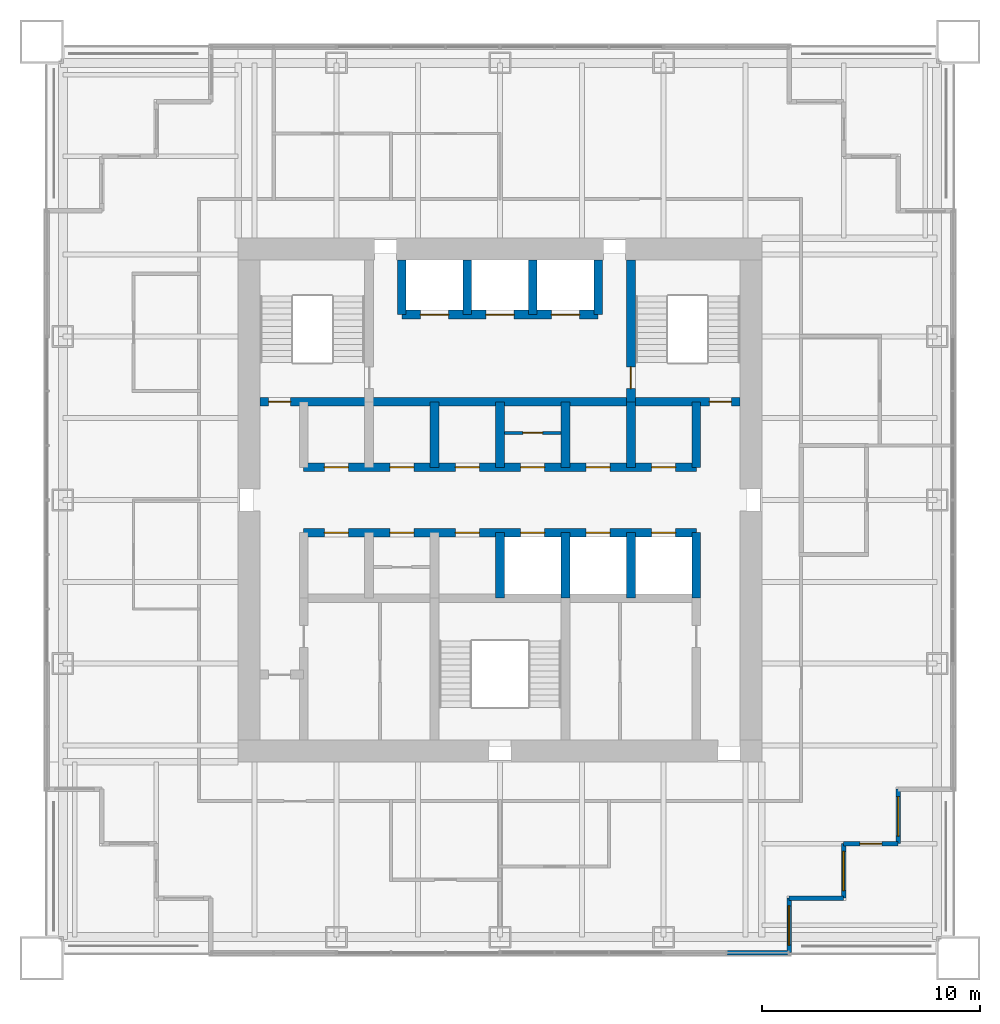
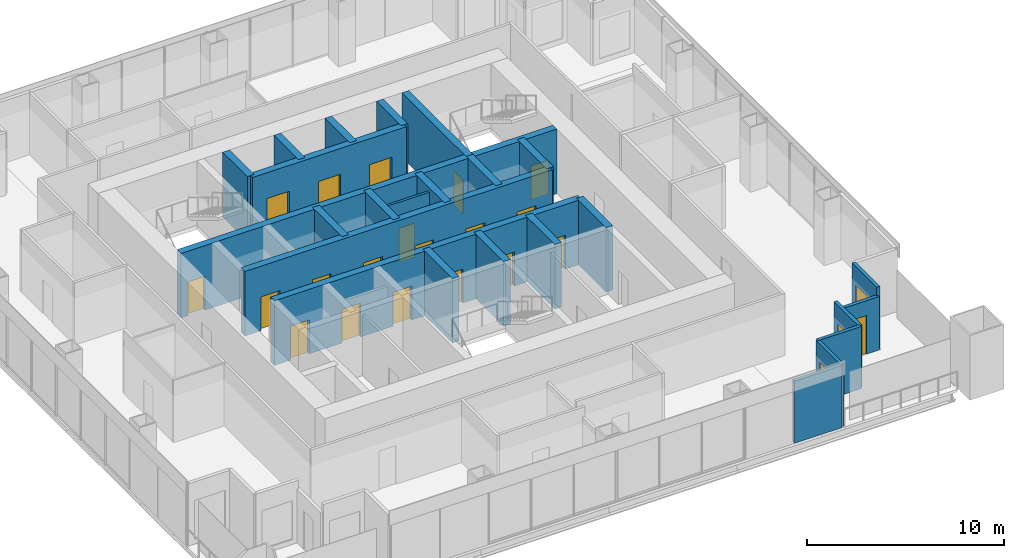
# One storey, part 10 of 14: 25 walls, 20 doors, 3 windows, 23 openings.
"""IFC4 building model written with IfcOpenShell, lengths in metres."""

from ifc_helpers import new_model, si_unit, direction, frame, frame_2d, origin, place, context, subcontext, project, spatial, rectangle, extrude, material, layer, layer_set, type_object, element, fill, save


model = new_model("IFC4")

# Units and contexts
model_context = context("Model", 3, precision=1e-05, world=origin(), true_north=direction((0.0, 1.0)))
body_context = subcontext(model_context, "Body", "Model", "MODEL_VIEW")
ifc_project = project(units=[si_unit("LENGTHUNIT", "METRE"), si_unit("AREAUNIT", "SQUARE_METRE"), si_unit("VOLUMEUNIT", "CUBIC_METRE"), si_unit("PLANEANGLEUNIT", "RADIAN"), si_unit("MASSUNIT", "GRAM", prefix="KILO")], contexts=[model_context])

# Site, building, storey
site_placement = place(None, origin())
site = spatial("IfcSite", under=ifc_project, at=site_placement, CompositionType="ELEMENT")
building_placement = place(site_placement, origin())
building = spatial("IfcBuilding", under=site, at=building_placement, Name="Tarangal Relay Tower", CompositionType="ELEMENT")
storey_placement = place(building_placement, frame((0.0, 0.0, 267.89990234375)))
storey = spatial("IfcBuildingStorey", under=building, at=storey_placement, Name="L58", CompositionType="ELEMENT", Elevation=267.89990234375)

# Wall, openings, doors
ifc_material_1 = material(Name="Concrete fc' 60 MPa", Category="concrete")
ifc_layer_1 = layer(ifc_material_1, 0.39990234375)
ifc_layer_set_1 = layer_set([ifc_layer_1], Name="Core inner wall 400")
wall_type_1 = type_object("IfcWallType", Name="Core inner wall 400", PredefinedType="SHEAR", material=ifc_layer_set_1)
wall_1_placement = place(storey_placement, frame((-11.0, 4.5, 0.0), z_axis=(0.0, 0.0, 1.0), x_axis=(1.0, 0.0, 0.0)))
wall_1 = element("IfcWall", 1, at=wall_1_placement, inside=storey, type_object=wall_type_1, Name="Core wall Y45 L58", PredefinedType="SHEAR", context=body_context, shape_type="SweptSolid", body=[
    extrude(rectangle(XDim=22.0, YDim=0.39990234375, at=frame_2d((11.0, 0.0))), origin(), (0.0, 0.0, 1.0), 4.0),
])
opening_1_placement = place(wall_1_placement, frame((0.39990234375, 0.0, 0.0)))
opening_1 = element("IfcOpeningElement", 2, at=opening_1_placement, cuts=wall_1, Name="Opening FD1", PredefinedType="OPENING", context=body_context, shape_type="SweptSolid", body=[
    extrude(rectangle(XDim=1.0, YDim=2.10009765625, at=frame_2d((0.5, 1.050048828125))), frame((0.0, 0.2099609375, 0.0), z_axis=(0.0, -1.0, 0.0), x_axis=(1.0, 0.0, 0.0)), (0.0, 0.0, 1.0), 0.419921875),
])
opening_2_placement = place(wall_1_placement, frame((20.60009765625, 0.0, 0.0)))
opening_2 = element("IfcOpeningElement", 3, at=opening_2_placement, cuts=wall_1, Name="Opening FD1", PredefinedType="OPENING", context=body_context, shape_type="SweptSolid", body=[
    extrude(rectangle(XDim=1.0, YDim=2.10009765625, at=frame_2d((0.5, 1.050048828125))), frame((0.0, 0.2099609375, 0.0), z_axis=(0.0, -1.0, 0.0), x_axis=(1.0, 0.0, 0.0)), (0.0, 0.0, 1.0), 0.419921875),
])
ifc_material_2 = material(Name="Steel door with hardwood frame", Category="steel")
door_type_1 = type_object("IfcDoorType", Name="Fire door 1000 x 2100", OperationType="SINGLE_SWING_LEFT", PredefinedType="DOOR", material=ifc_material_2)
door_1_placement = place(opening_1_placement, origin())
door_1 = element("IfcDoor", 4, at=door_1_placement, inside=storey, type_object=door_type_1, Name="Stair ST-A door from corridor L58", OperationType="SINGLE_SWING_LEFT", OverallHeight=2.10009765625, OverallWidth=1.0, PredefinedType="DOOR", context=body_context, shape_type="SweptSolid", body=[
    extrude(rectangle(XDim=1.0, YDim=2.10009765625, at=frame_2d((0.5, 1.050048828125))), frame((0.0, 0.02490234375, 0.0), z_axis=(0.0, -1.0, 0.0), x_axis=(1.0, 0.0, 0.0)), (0.0, 0.0, 1.0), 0.050048828125),
])
fill(opening_1, door_1)
door_2_placement = place(opening_2_placement, origin())
door_2 = element("IfcDoor", 5, at=door_2_placement, inside=storey, type_object=door_type_1, Name="Stair ST-B door from corridor L58", OperationType="SINGLE_SWING_LEFT", OverallHeight=2.10009765625, OverallWidth=1.0, PredefinedType="DOOR", context=body_context, shape_type="SweptSolid", body=[
    extrude(rectangle(XDim=1.0, YDim=2.10009765625, at=frame_2d((0.5, 1.050048828125))), frame((0.0, 0.02490234375, 0.0), z_axis=(0.0, -1.0, 0.0), x_axis=(1.0, 0.0, 0.0)), (0.0, 0.0, 1.0), 0.050048828125),
])
fill(opening_2, door_2)

wall_2_placement = place(storey_placement, frame((-9.0, 1.5, 0.0), z_axis=(0.0, 0.0, 1.0), x_axis=(1.0, 0.0, 0.0)))
wall_2 = element("IfcWall", 6, at=wall_2_placement, inside=storey, type_object=wall_type_1, Name="Core wall Y15 L58", PredefinedType="SHEAR", context=body_context, shape_type="SweptSolid", body=[
    extrude(rectangle(XDim=18.0, YDim=0.39990234375, at=frame_2d((9.0, 0.0))), origin(), (0.0, 0.0, 1.0), 4.0),
])
opening_3_placement = place(wall_2_placement, frame((0.949951171875, 0.0, 0.0)))
opening_3 = element("IfcOpeningElement", 7, at=opening_3_placement, cuts=wall_2, Name="Opening D4", PredefinedType="OPENING", context=body_context, shape_type="SweptSolid", body=[
    extrude(rectangle(XDim=1.10009765625, YDim=2.10009765625, at=frame_2d((0.550048828125, 1.050048828125))), frame((0.0, 0.2099609375, 0.0), z_axis=(0.0, -1.0, 0.0), x_axis=(1.0, 0.0, 0.0)), (0.0, 0.0, 1.0), 0.419921875),
])
opening_4_placement = place(wall_2_placement, frame((3.949951171875, 0.0, 0.0)))
opening_4 = element("IfcOpeningElement", 8, at=opening_4_placement, cuts=wall_2, Name="Opening D4", PredefinedType="OPENING", context=body_context, shape_type="SweptSolid", body=[
    extrude(rectangle(XDim=1.10009765625, YDim=2.10009765625, at=frame_2d((0.550048828125, 1.050048828125))), frame((0.0, 0.2099609375, 0.0), z_axis=(0.0, -1.0, 0.0), x_axis=(1.0, 0.0, 0.0)), (0.0, 0.0, 1.0), 0.419921875),
])
opening_5_placement = place(wall_2_placement, frame((6.949951171875, 0.0, 0.0)))
opening_5 = element("IfcOpeningElement", 9, at=opening_5_placement, cuts=wall_2, Name="Opening D4", PredefinedType="OPENING", context=body_context, shape_type="SweptSolid", body=[
    extrude(rectangle(XDim=1.10009765625, YDim=2.10009765625, at=frame_2d((0.550048828125, 1.050048828125))), frame((0.0, 0.2099609375, 0.0), z_axis=(0.0, -1.0, 0.0), x_axis=(1.0, 0.0, 0.0)), (0.0, 0.0, 1.0), 0.419921875),
])
opening_6_placement = place(wall_2_placement, frame((9.949951171875, 0.0, 0.0)))
opening_6 = element("IfcOpeningElement", 10, at=opening_6_placement, cuts=wall_2, Name="Opening D4", PredefinedType="OPENING", context=body_context, shape_type="SweptSolid", body=[
    extrude(rectangle(XDim=1.10009765625, YDim=2.10009765625, at=frame_2d((0.550048828125, 1.050048828125))), frame((0.0, 0.2099609375, 0.0), z_axis=(0.0, -1.0, 0.0), x_axis=(1.0, 0.0, 0.0)), (0.0, 0.0, 1.0), 0.419921875),
])
opening_7_placement = place(wall_2_placement, frame((12.949951171875, 0.0, 0.0)))
opening_7 = element("IfcOpeningElement", 11, at=opening_7_placement, cuts=wall_2, Name="Opening D4", PredefinedType="OPENING", context=body_context, shape_type="SweptSolid", body=[
    extrude(rectangle(XDim=1.10009765625, YDim=2.10009765625, at=frame_2d((0.550048828125, 1.050048828125))), frame((0.0, 0.2099609375, 0.0), z_axis=(0.0, -1.0, 0.0), x_axis=(1.0, 0.0, 0.0)), (0.0, 0.0, 1.0), 0.419921875),
])
opening_8_placement = place(wall_2_placement, frame((15.949951171875, 0.0, 0.0)))
opening_8 = element("IfcOpeningElement", 12, at=opening_8_placement, cuts=wall_2, Name="Opening D4", PredefinedType="OPENING", context=body_context, shape_type="SweptSolid", body=[
    extrude(rectangle(XDim=1.10009765625, YDim=2.10009765625, at=frame_2d((0.550048828125, 1.050048828125))), frame((0.0, 0.2099609375, 0.0), z_axis=(0.0, -1.0, 0.0), x_axis=(1.0, 0.0, 0.0)), (0.0, 0.0, 1.0), 0.419921875),
])
door_type_2 = type_object("IfcDoorType", Name="Core room door 1100 x 2100", OperationType="SINGLE_SWING_RIGHT", PredefinedType="DOOR", material=ifc_material_2)
door_3_placement = place(opening_3_placement, origin())
door_3 = element("IfcDoor", 13, at=door_3_placement, inside=storey, type_object=door_type_2, Name="Door D4 to cleaner's store L58-D1", OperationType="SINGLE_SWING_RIGHT", OverallHeight=2.10009765625, OverallWidth=1.10009765625, PredefinedType="DOOR", context=body_context, shape_type="SweptSolid", body=[
    extrude(rectangle(XDim=1.10009765625, YDim=2.10009765625, at=frame_2d((0.550048828125, 1.050048828125))), frame((0.0, 0.02490234375, 0.0), z_axis=(0.0, -1.0, 0.0), x_axis=(1.0, 0.0, 0.0)), (0.0, 0.0, 1.0), 0.050048828125),
])
fill(opening_3, door_3)
door_4_placement = place(opening_4_placement, origin())
door_4 = element("IfcDoor", 14, at=door_4_placement, inside=storey, type_object=door_type_2, Name="Door D4 to staff wc L58-D2", OperationType="SINGLE_SWING_RIGHT", OverallHeight=2.10009765625, OverallWidth=1.10009765625, PredefinedType="DOOR", context=body_context, shape_type="SweptSolid", body=[
    extrude(rectangle(XDim=1.10009765625, YDim=2.10009765625, at=frame_2d((0.550048828125, 1.050048828125))), frame((0.0, 0.02490234375, 0.0), z_axis=(0.0, -1.0, 0.0), x_axis=(1.0, 0.0, 0.0)), (0.0, 0.0, 1.0), 0.050048828125),
])
fill(opening_4, door_4)
door_5_placement = place(opening_5_placement, origin())
door_5 = element("IfcDoor", 15, at=door_5_placement, inside=storey, type_object=door_type_2, Name="Door D4 to staff pantry L58-D3", OperationType="SINGLE_SWING_RIGHT", OverallHeight=2.10009765625, OverallWidth=1.10009765625, PredefinedType="DOOR", context=body_context, shape_type="SweptSolid", body=[
    extrude(rectangle(XDim=1.10009765625, YDim=2.10009765625, at=frame_2d((0.550048828125, 1.050048828125))), frame((0.0, 0.02490234375, 0.0), z_axis=(0.0, -1.0, 0.0), x_axis=(1.0, 0.0, 0.0)), (0.0, 0.0, 1.0), 0.050048828125),
])
fill(opening_5, door_5)
door_6_placement = place(opening_6_placement, origin())
door_6 = element("IfcDoor", 16, at=door_6_placement, inside=storey, type_object=door_type_2, Name="Door D4 to it room L58-T1", OperationType="SINGLE_SWING_RIGHT", OverallHeight=2.10009765625, OverallWidth=1.10009765625, PredefinedType="DOOR", context=body_context, shape_type="SweptSolid", body=[
    extrude(rectangle(XDim=1.10009765625, YDim=2.10009765625, at=frame_2d((0.550048828125, 1.050048828125))), frame((0.0, 0.02490234375, 0.0), z_axis=(0.0, -1.0, 0.0), x_axis=(1.0, 0.0, 0.0)), (0.0, 0.0, 1.0), 0.050048828125),
])
fill(opening_6, door_6)
door_7_placement = place(opening_7_placement, origin())
door_7 = element("IfcDoor", 17, at=door_7_placement, inside=storey, type_object=door_type_2, Name="Door D4 to cleaner's store L58-T2", OperationType="SINGLE_SWING_RIGHT", OverallHeight=2.10009765625, OverallWidth=1.10009765625, PredefinedType="DOOR", context=body_context, shape_type="SweptSolid", body=[
    extrude(rectangle(XDim=1.10009765625, YDim=2.10009765625, at=frame_2d((0.550048828125, 1.050048828125))), frame((0.0, 0.02490234375, 0.0), z_axis=(0.0, -1.0, 0.0), x_axis=(1.0, 0.0, 0.0)), (0.0, 0.0, 1.0), 0.050048828125),
])
fill(opening_7, door_7)
door_8_placement = place(opening_8_placement, origin())
door_8 = element("IfcDoor", 18, at=door_8_placement, inside=storey, type_object=door_type_2, Name="Door D4 to staff wc L58-T3", OperationType="SINGLE_SWING_RIGHT", OverallHeight=2.10009765625, OverallWidth=1.10009765625, PredefinedType="DOOR", context=body_context, shape_type="SweptSolid", body=[
    extrude(rectangle(XDim=1.10009765625, YDim=2.10009765625, at=frame_2d((0.550048828125, 1.050048828125))), frame((0.0, 0.02490234375, 0.0), z_axis=(0.0, -1.0, 0.0), x_axis=(1.0, 0.0, 0.0)), (0.0, 0.0, 1.0), 0.050048828125),
])
fill(opening_8, door_8)

wall_3_placement = place(storey_placement, frame((-9.0, -1.5, 0.0), z_axis=(0.0, 0.0, 1.0), x_axis=(1.0, 0.0, 0.0)))
wall_3 = element("IfcWall", 19, at=wall_3_placement, inside=storey, type_object=wall_type_1, Name="Core wall YM15 L58", PredefinedType="SHEAR", context=body_context, shape_type="SweptSolid", body=[
    extrude(rectangle(XDim=18.0, YDim=0.39990234375, at=frame_2d((9.0, 0.0))), origin(), (0.0, 0.0, 1.0), 4.0),
])
opening_9_placement = place(wall_3_placement, frame((9.949951171875, 0.0, 0.0)))
opening_9 = element("IfcOpeningElement", 20, at=opening_9_placement, cuts=wall_3, Name="Opening LD1", PredefinedType="OPENING", context=body_context, shape_type="SweptSolid", body=[
    extrude(rectangle(XDim=1.10009765625, YDim=2.10009765625, at=frame_2d((0.550048828125, 1.050048828125))), frame((0.0, 0.2099609375, 0.0), z_axis=(0.0, -1.0, 0.0), x_axis=(1.0, 0.0, 0.0)), (0.0, 0.0, 1.0), 0.419921875),
])
opening_10_placement = place(wall_3_placement, frame((12.949951171875, 0.0, 0.0)))
opening_10 = element("IfcOpeningElement", 21, at=opening_10_placement, cuts=wall_3, Name="Opening LD1", PredefinedType="OPENING", context=body_context, shape_type="SweptSolid", body=[
    extrude(rectangle(XDim=1.10009765625, YDim=2.10009765625, at=frame_2d((0.550048828125, 1.050048828125))), frame((0.0, 0.2099609375, 0.0), z_axis=(0.0, -1.0, 0.0), x_axis=(1.0, 0.0, 0.0)), (0.0, 0.0, 1.0), 0.419921875),
])
opening_11_placement = place(wall_3_placement, frame((15.949951171875, 0.0, 0.0)))
opening_11 = element("IfcOpeningElement", 22, at=opening_11_placement, cuts=wall_3, Name="Opening LD1", PredefinedType="OPENING", context=body_context, shape_type="SweptSolid", body=[
    extrude(rectangle(XDim=1.10009765625, YDim=2.10009765625, at=frame_2d((0.550048828125, 1.050048828125))), frame((0.0, 0.2099609375, 0.0), z_axis=(0.0, -1.0, 0.0), x_axis=(1.0, 0.0, 0.0)), (0.0, 0.0, 1.0), 0.419921875),
])
opening_12_placement = place(wall_3_placement, frame((0.949951171875, 0.0, 0.0)))
opening_12 = element("IfcOpeningElement", 23, at=opening_12_placement, cuts=wall_3, Name="Opening D4", PredefinedType="OPENING", context=body_context, shape_type="SweptSolid", body=[
    extrude(rectangle(XDim=1.10009765625, YDim=2.10009765625, at=frame_2d((0.550048828125, 1.050048828125))), frame((0.0, 0.2099609375, 0.0), z_axis=(0.0, -1.0, 0.0), x_axis=(1.0, 0.0, 0.0)), (0.0, 0.0, 1.0), 0.419921875),
])
opening_13_placement = place(wall_3_placement, frame((3.949951171875, 0.0, 0.0)))
opening_13 = element("IfcOpeningElement", 24, at=opening_13_placement, cuts=wall_3, Name="Opening D4", PredefinedType="OPENING", context=body_context, shape_type="SweptSolid", body=[
    extrude(rectangle(XDim=1.10009765625, YDim=2.10009765625, at=frame_2d((0.550048828125, 1.050048828125))), frame((0.0, 0.2099609375, 0.0), z_axis=(0.0, -1.0, 0.0), x_axis=(1.0, 0.0, 0.0)), (0.0, 0.0, 1.0), 0.419921875),
])
opening_14_placement = place(wall_3_placement, frame((6.949951171875, 0.0, 0.0)))
opening_14 = element("IfcOpeningElement", 25, at=opening_14_placement, cuts=wall_3, Name="Opening D4", PredefinedType="OPENING", context=body_context, shape_type="SweptSolid", body=[
    extrude(rectangle(XDim=1.10009765625, YDim=2.10009765625, at=frame_2d((0.550048828125, 1.050048828125))), frame((0.0, 0.2099609375, 0.0), z_axis=(0.0, -1.0, 0.0), x_axis=(1.0, 0.0, 0.0)), (0.0, 0.0, 1.0), 0.419921875),
])
door_9_placement = place(opening_12_placement, origin())
door_9 = element("IfcDoor", 26, at=door_9_placement, inside=storey, type_object=door_type_2, Name="Door D4 to staff pantry L58-S1", OperationType="SINGLE_SWING_RIGHT", OverallHeight=2.10009765625, OverallWidth=1.10009765625, PredefinedType="DOOR", context=body_context, shape_type="SweptSolid", body=[
    extrude(rectangle(XDim=1.10009765625, YDim=2.10009765625, at=frame_2d((0.550048828125, 1.050048828125))), frame((0.0, 0.02490234375, 0.0), z_axis=(0.0, -1.0, 0.0), x_axis=(1.0, 0.0, 0.0)), (0.0, 0.0, 1.0), 0.050048828125),
])
fill(opening_12, door_9)
door_10_placement = place(opening_13_placement, origin())
door_10 = element("IfcDoor", 27, at=door_10_placement, inside=storey, type_object=door_type_2, Name="Door D4 to it room L58-S2", OperationType="SINGLE_SWING_RIGHT", OverallHeight=2.10009765625, OverallWidth=1.10009765625, PredefinedType="DOOR", context=body_context, shape_type="SweptSolid", body=[
    extrude(rectangle(XDim=1.10009765625, YDim=2.10009765625, at=frame_2d((0.550048828125, 1.050048828125))), frame((0.0, 0.02490234375, 0.0), z_axis=(0.0, -1.0, 0.0), x_axis=(1.0, 0.0, 0.0)), (0.0, 0.0, 1.0), 0.050048828125),
])
fill(opening_13, door_10)
door_11_placement = place(opening_14_placement, origin())
door_11 = element("IfcDoor", 28, at=door_11_placement, inside=storey, type_object=door_type_2, Name="Door D4 to cleaner's store L58-S3", OperationType="SINGLE_SWING_RIGHT", OverallHeight=2.10009765625, OverallWidth=1.10009765625, PredefinedType="DOOR", context=body_context, shape_type="SweptSolid", body=[
    extrude(rectangle(XDim=1.10009765625, YDim=2.10009765625, at=frame_2d((0.550048828125, 1.050048828125))), frame((0.0, 0.02490234375, 0.0), z_axis=(0.0, -1.0, 0.0), x_axis=(1.0, 0.0, 0.0)), (0.0, 0.0, 1.0), 0.050048828125),
])
fill(opening_14, door_11)
door_type_3 = type_object("IfcDoorType", Name="Lift landing door 1100 x 2100", OperationType="SLIDING_TO_LEFT", PredefinedType="DOOR", material=ifc_material_2)
door_12_placement = place(opening_9_placement, origin())
door_12 = element("IfcDoor", 29, at=door_12_placement, inside=storey, type_object=door_type_3, Name="Lift OH1 landing door L58", OperationType="SLIDING_TO_LEFT", OverallHeight=2.10009765625, OverallWidth=1.10009765625, PredefinedType="DOOR", context=body_context, shape_type="SweptSolid", body=[
    extrude(rectangle(XDim=1.10009765625, YDim=2.10009765625, at=frame_2d((0.550048828125, 1.050048828125))), frame((0.0, 0.02490234375, 0.0), z_axis=(0.0, -1.0, 0.0), x_axis=(1.0, 0.0, 0.0)), (0.0, 0.0, 1.0), 0.050048828125),
])
fill(opening_9, door_12)
door_13_placement = place(opening_10_placement, origin())
door_13 = element("IfcDoor", 30, at=door_13_placement, inside=storey, type_object=door_type_3, Name="Lift OH2 landing door L58", OperationType="SLIDING_TO_LEFT", OverallHeight=2.10009765625, OverallWidth=1.10009765625, PredefinedType="DOOR", context=body_context, shape_type="SweptSolid", body=[
    extrude(rectangle(XDim=1.10009765625, YDim=2.10009765625, at=frame_2d((0.550048828125, 1.050048828125))), frame((0.0, 0.02490234375, 0.0), z_axis=(0.0, -1.0, 0.0), x_axis=(1.0, 0.0, 0.0)), (0.0, 0.0, 1.0), 0.050048828125),
])
fill(opening_10, door_13)
door_14_placement = place(opening_11_placement, origin())
door_14 = element("IfcDoor", 31, at=door_14_placement, inside=storey, type_object=door_type_3, Name="Lift OH3 landing door L58", OperationType="SLIDING_TO_LEFT", OverallHeight=2.10009765625, OverallWidth=1.10009765625, PredefinedType="DOOR", context=body_context, shape_type="SweptSolid", body=[
    extrude(rectangle(XDim=1.10009765625, YDim=2.10009765625, at=frame_2d((0.550048828125, 1.050048828125))), frame((0.0, 0.02490234375, 0.0), z_axis=(0.0, -1.0, 0.0), x_axis=(1.0, 0.0, 0.0)), (0.0, 0.0, 1.0), 0.050048828125),
])
fill(opening_11, door_14)

wall_4_placement = place(storey_placement, frame((-4.5, 8.5, 0.0), z_axis=(0.0, 0.0, 1.0), x_axis=(1.0, 0.0, 0.0)))
wall_4 = element("IfcWall", 32, at=wall_4_placement, inside=storey, type_object=wall_type_1, Name="Core wall Y85 L58", PredefinedType="SHEAR", context=body_context, shape_type="SweptSolid", body=[
    extrude(rectangle(XDim=9.0, YDim=0.39990234375, at=frame_2d((4.5, 0.0))), origin(), (0.0, 0.0, 1.0), 4.0),
])
opening_15_placement = place(wall_4_placement, frame((0.85009765625, 0.0, 0.0)))
opening_15 = element("IfcOpeningElement", 33, at=opening_15_placement, cuts=wall_4, Name="Opening LD2", PredefinedType="OPENING", context=body_context, shape_type="SweptSolid", body=[
    extrude(rectangle(XDim=1.300048828125, YDim=2.39990234375, at=frame_2d((0.64990234375, 1.199951171875))), frame((0.0, 0.2099609375, 0.0), z_axis=(0.0, -1.0, 0.0), x_axis=(1.0, 0.0, 0.0)), (0.0, 0.0, 1.0), 0.419921875),
])
opening_16_placement = place(wall_4_placement, frame((6.85009765625, 0.0, 0.0)))
opening_16 = element("IfcOpeningElement", 34, at=opening_16_placement, cuts=wall_4, Name="Opening LD2", PredefinedType="OPENING", context=body_context, shape_type="SweptSolid", body=[
    extrude(rectangle(XDim=1.300048828125, YDim=2.39990234375, at=frame_2d((0.64990234375, 1.199951171875))), frame((0.0, 0.2099609375, 0.0), z_axis=(0.0, -1.0, 0.0), x_axis=(1.0, 0.0, 0.0)), (0.0, 0.0, 1.0), 0.419921875),
])
opening_17_placement = place(wall_4_placement, frame((3.85009765625, 0.0, 0.0)))
opening_17 = element("IfcOpeningElement", 35, at=opening_17_placement, cuts=wall_4, Name="Opening LD2", PredefinedType="OPENING", context=body_context, shape_type="SweptSolid", body=[
    extrude(rectangle(XDim=1.300048828125, YDim=2.39990234375, at=frame_2d((0.64990234375, 1.199951171875))), frame((0.0, 0.2099609375, 0.0), z_axis=(0.0, -1.0, 0.0), x_axis=(1.0, 0.0, 0.0)), (0.0, 0.0, 1.0), 0.419921875),
])
door_type_4 = type_object("IfcDoorType", Name="Lift landing door 1300 x 2400", OperationType="SLIDING_TO_LEFT", PredefinedType="DOOR", material=ifc_material_2)
door_15_placement = place(opening_15_placement, origin())
door_15 = element("IfcDoor", 36, at=door_15_placement, inside=storey, type_object=door_type_4, Name="Lift FF1 landing door L58", OperationType="SLIDING_TO_LEFT", OverallHeight=2.39990234375, OverallWidth=1.300048828125, PredefinedType="DOOR", context=body_context, shape_type="SweptSolid", body=[
    extrude(rectangle(XDim=1.300048828125, YDim=2.39990234375, at=frame_2d((0.64990234375, 1.199951171875))), frame((0.0, 0.02490234375, 0.0), z_axis=(0.0, -1.0, 0.0), x_axis=(1.0, 0.0, 0.0)), (0.0, 0.0, 1.0), 0.050048828125),
])
fill(opening_15, door_15)
door_16_placement = place(opening_16_placement, origin())
door_16 = element("IfcDoor", 37, at=door_16_placement, inside=storey, type_object=door_type_4, Name="Lift FF2 landing door L58", OperationType="SLIDING_TO_LEFT", OverallHeight=2.39990234375, OverallWidth=1.300048828125, PredefinedType="DOOR", context=body_context, shape_type="SweptSolid", body=[
    extrude(rectangle(XDim=1.300048828125, YDim=2.39990234375, at=frame_2d((0.64990234375, 1.199951171875))), frame((0.0, 0.02490234375, 0.0), z_axis=(0.0, -1.0, 0.0), x_axis=(1.0, 0.0, 0.0)), (0.0, 0.0, 1.0), 0.050048828125),
])
fill(opening_16, door_16)
door_17_placement = place(opening_17_placement, origin())
door_17 = element("IfcDoor", 38, at=door_17_placement, inside=storey, type_object=door_type_4, Name="Lift SV1 landing door L58", OperationType="SLIDING_TO_LEFT", OverallHeight=2.39990234375, OverallWidth=1.300048828125, PredefinedType="DOOR", context=body_context, shape_type="SweptSolid", body=[
    extrude(rectangle(XDim=1.300048828125, YDim=2.39990234375, at=frame_2d((0.64990234375, 1.199951171875))), frame((0.0, 0.02490234375, 0.0), z_axis=(0.0, -1.0, 0.0), x_axis=(1.0, 0.0, 0.0)), (0.0, 0.0, 1.0), 0.050048828125),
])
fill(opening_17, door_17)

# Walls
for number, where, z_axis, x_axis, name in (
    (39, (9.0, 1.5, 0.0), (0.0, 0.0, 1.0), (0.0, 1.0, 0.0), "Core wall X9N L58"),
    (40, (9.0, -4.5, 0.0), (0.0, 0.0, 1.0), (0.0, 1.0, 0.0), "Core wall X9S L58"),
    (41, (-3.0, 1.5, 0.0), (0.0, 0.0, 1.0), (0.0, 1.0, 0.0), "Core wall XM3N L58"),
    (42, (0.0, 1.5, 0.0), (0.0, 0.0, 1.0), (0.0, 1.0, 0.0), "Core wall X0N L58"),
    (43, (3.0, 1.5, 0.0), (0.0, 0.0, 1.0), (0.0, 1.0, 0.0), "Core wall X3N L58"),
    (44, (6.0, 1.5, 0.0), (0.0, 0.0, 1.0), (0.0, 1.0, 0.0), "Core wall X6N L58"),
    (45, (0.0, -4.5, 0.0), (0.0, 0.0, 1.0), (0.0, 1.0, 0.0), "Core wall X0S L58"),
    (46, (3.0, -4.5, 0.0), (0.0, 0.0, 1.0), (0.0, 1.0, 0.0), "Core wall X3S L58"),
    (47, (6.0, -4.5, 0.0), (0.0, 0.0, 1.0), (0.0, 1.0, 0.0), "Core wall X6S L58"),
):
    element("IfcWall", number, at=place(storey_placement, frame(where, z_axis=z_axis, x_axis=x_axis)), inside=storey, type_object=wall_type_1, Name=name, PredefinedType="SHEAR", context=body_context, shape_type="SweptSolid", body=[
        extrude(rectangle(XDim=3.0, YDim=0.39990234375, at=frame_2d((1.5, 0.0))), origin(), (0.0, 0.0, 1.0), 4.0),
    ])

# Wall, opening, door
wall_5_placement = place(storey_placement, frame((6.0, 4.5, 0.0), z_axis=(0.0, 0.0, 1.0), x_axis=(0.0, 1.0, 0.0)))
wall_5 = element("IfcWall", 48, at=wall_5_placement, inside=storey, type_object=wall_type_1, Name="Core wall X6 L58", PredefinedType="SHEAR", context=body_context, shape_type="SweptSolid", body=[
    extrude(rectangle(XDim=6.5, YDim=0.39990234375, at=frame_2d((3.25, 0.0))), origin(), (0.0, 0.0, 1.0), 4.0),
])
opening_18_placement = place(wall_5_placement, frame((0.60009765625, 0.0, 0.0)))
opening_18 = element("IfcOpeningElement", 49, at=opening_18_placement, cuts=wall_5, Name="Opening FD1", PredefinedType="OPENING", context=body_context, shape_type="SweptSolid", body=[
    extrude(rectangle(XDim=1.0, YDim=2.10009765625, at=frame_2d((0.5, 1.050048828125))), frame((0.0, 0.2099609375, 0.0), z_axis=(0.0, -1.0, 0.0), x_axis=(1.0, 0.0, 0.0)), (0.0, 0.0, 1.0), 0.419921875),
])
door_18_placement = place(opening_18_placement, origin())
door_18 = element("IfcDoor", 50, at=door_18_placement, inside=storey, type_object=door_type_1, Name="Stair ST-B door from fire-fighting lobby L58", OperationType="SINGLE_SWING_LEFT", OverallHeight=2.10009765625, OverallWidth=1.0, PredefinedType="DOOR", context=body_context, shape_type="SweptSolid", body=[
    extrude(rectangle(XDim=1.0, YDim=2.10009765625, at=frame_2d((0.5, 1.050048828125))), frame((0.0, 0.02490234375, 0.0), z_axis=(0.0, -1.0, 0.0), x_axis=(1.0, 0.0, 0.0)), (0.0, 0.0, 1.0), 0.050048828125),
])
fill(opening_18, door_18)

# Walls
for number, where, z_axis, x_axis, name in (
    (51, (-4.5, 8.5, 0.0), (0.0, 0.0, 1.0), (0.0, 1.0, 0.0), "Core wall XM45 L58"),
    (52, (4.5, 8.5, 0.0), (0.0, 0.0, 1.0), (0.0, 1.0, 0.0), "Core wall X45 L58"),
    (53, (-1.5, 8.5, 0.0), (0.0, 0.0, 1.0), (0.0, 1.0, 0.0), "Core wall XM15 L58"),
    (54, (1.5, 8.5, 0.0), (0.0, 0.0, 1.0), (0.0, 1.0, 0.0), "Core wall X15 L58"),
):
    element("IfcWall", number, at=place(storey_placement, frame(where, z_axis=z_axis, x_axis=x_axis)), inside=storey, type_object=wall_type_1, Name=name, PredefinedType="SHEAR", context=body_context, shape_type="SweptSolid", body=[
        extrude(rectangle(XDim=2.5, YDim=0.39990234375, at=frame_2d((1.25, 0.0))), origin(), (0.0, 0.0, 1.0), 4.0),
    ])

# Wall, opening, window
ifc_material_3 = material(Name="Black metal clad insulated wall", Category="steel")
ifc_layer_2 = layer(ifc_material_3, 0.199951171875)
ifc_layer_set_2 = layer_set([ifc_layer_2], Name="Corner wall metal clad 200")
wall_type_2 = type_object("IfcWallType", Name="Corner wall metal clad 200", PredefinedType="SOLIDWALL", material=ifc_layer_set_2)
wall_6_placement = place(storey_placement, frame((18.25, -13.25, 0.0), z_axis=(0.0, 0.0, 1.0), x_axis=(0.0, -1.0, 0.0)))
wall_6 = element("IfcWall", 55, at=wall_6_placement, inside=storey, type_object=wall_type_2, Name="Facade wall E facade L58", PredefinedType="SOLIDWALL", context=body_context, shape_type="SweptSolid", body=[
    extrude(rectangle(XDim=2.5, YDim=0.199951171875, at=frame_2d((1.25, 0.0))), origin(), (0.0, 0.0, 1.0), 3.85009765625),
])
opening_19_placement = place(wall_6_placement, frame((0.35009765625, 0.0, 0.300048828125)))
opening_19 = element("IfcOpeningElement", 56, at=opening_19_placement, cuts=wall_6, Name="Opening WN2", PredefinedType="OPENING", context=body_context, shape_type="SweptSolid", body=[
    extrude(rectangle(XDim=1.800048828125, YDim=2.39990234375, at=frame_2d((0.89990234375, 1.199951171875))), frame((0.0, 0.10986328125, 0.0), z_axis=(0.0, -1.0, 0.0), x_axis=(1.0, 0.0, 0.0)), (0.0, 0.0, 1.0), 0.219970703125),
])
ifc_material_4 = material(Name="Dark tinted double glazing in black aluminium frame", Category="aluminium")
window_type = type_object("IfcWindowType", Name="Corner window 1800 x 2400", PartitioningType="SINGLE_PANEL", PredefinedType="WINDOW", material=ifc_material_4)
window_1_placement = place(opening_19_placement, origin())
window_1 = element("IfcWindow", 57, at=window_1_placement, inside=storey, type_object=window_type, Name="Corner window WN2 E facade L58", OverallHeight=2.39990234375, OverallWidth=1.800048828125, PartitioningType="SINGLE_PANEL", PredefinedType="WINDOW", context=body_context, shape_type="SweptSolid", body=[
    extrude(rectangle(XDim=1.800048828125, YDim=2.39990234375, at=frame_2d((0.89990234375, 1.199951171875))), frame((0.0, 0.030029296875, 0.0), z_axis=(0.0, -1.0, 0.0), x_axis=(1.0, 0.0, 0.0)), (0.0, 0.0, 1.0), 0.06005859375),
])
fill(opening_19, window_1)

# Wall, opening, door
wall_7_placement = place(storey_placement, frame((18.25, -15.75, 0.0), z_axis=(0.0, 0.0, 1.0), x_axis=(-1.0, 0.0, 0.0)))
wall_7 = element("IfcWall", 58, at=wall_7_placement, inside=storey, type_object=wall_type_2, Name="Facade wall E facade L58", PredefinedType="SOLIDWALL", context=body_context, shape_type="SweptSolid", body=[
    extrude(rectangle(XDim=2.5, YDim=0.199951171875, at=frame_2d((1.25, 0.0))), origin(), (0.0, 0.0, 1.0), 3.316650390625),
])
opening_20_placement = place(wall_7_placement, frame((0.75, 0.0, 0.0)))
opening_20 = element("IfcOpeningElement", 59, at=opening_20_placement, cuts=wall_7, Name="Opening TD1", PredefinedType="OPENING", context=body_context, shape_type="SweptSolid", body=[
    extrude(rectangle(XDim=1.0, YDim=2.39990234375, at=frame_2d((0.5, 1.199951171875))), frame((0.0, 0.10986328125, 0.0), z_axis=(0.0, -1.0, 0.0), x_axis=(1.0, 0.0, 0.0)), (0.0, 0.0, 1.0), 0.219970703125),
])
ifc_material_5 = material(Name="Aluminium glazed door", Category="aluminium")
door_type_5 = type_object("IfcDoorType", Name="Terrace door 1000 x 2400", OperationType="SINGLE_SWING_RIGHT", PredefinedType="DOOR", material=ifc_material_5)
door_19_placement = place(opening_20_placement, origin())
door_19 = element("IfcDoor", 60, at=door_19_placement, inside=storey, type_object=door_type_5, Name="Terrace door TD1 SE L58", OperationType="SINGLE_SWING_RIGHT", OverallHeight=2.39990234375, OverallWidth=1.0, PredefinedType="DOOR", context=body_context, shape_type="SweptSolid", body=[
    extrude(rectangle(XDim=1.0, YDim=2.39990234375, at=frame_2d((0.5, 1.199951171875))), frame((0.0, 0.02490234375, 0.0), z_axis=(0.0, -1.0, 0.0), x_axis=(1.0, 0.0, 0.0)), (0.0, 0.0, 1.0), 0.050048828125),
])
fill(opening_20, door_19)

# Wall, opening, window
wall_8_placement = place(storey_placement, frame((15.75, -15.75, 0.0), z_axis=(0.0, 0.0, 1.0), x_axis=(0.0, -1.0, 0.0)))
wall_8 = element("IfcWall", 61, at=wall_8_placement, inside=storey, type_object=wall_type_2, Name="Facade wall E facade L58", PredefinedType="SOLIDWALL", context=body_context, shape_type="SweptSolid", body=[
    extrude(rectangle(XDim=2.5, YDim=0.199951171875, at=frame_2d((1.25, 0.0))), origin(), (0.0, 0.0, 1.0), 3.85009765625),
])
opening_21_placement = place(wall_8_placement, frame((0.35009765625, 0.0, 0.300048828125)))
opening_21 = element("IfcOpeningElement", 62, at=opening_21_placement, cuts=wall_8, Name="Opening WN2", PredefinedType="OPENING", context=body_context, shape_type="SweptSolid", body=[
    extrude(rectangle(XDim=1.800048828125, YDim=2.39990234375, at=frame_2d((0.89990234375, 1.199951171875))), frame((0.0, 0.10986328125, 0.0), z_axis=(0.0, -1.0, 0.0), x_axis=(1.0, 0.0, 0.0)), (0.0, 0.0, 1.0), 0.219970703125),
])
window_2_placement = place(opening_21_placement, origin())
window_2 = element("IfcWindow", 63, at=window_2_placement, inside=storey, type_object=window_type, Name="Corner window WN2 E facade L58", OverallHeight=2.39990234375, OverallWidth=1.800048828125, PartitioningType="SINGLE_PANEL", PredefinedType="WINDOW", context=body_context, shape_type="SweptSolid", body=[
    extrude(rectangle(XDim=1.800048828125, YDim=2.39990234375, at=frame_2d((0.89990234375, 1.199951171875))), frame((0.0, 0.030029296875, 0.0), z_axis=(0.0, -1.0, 0.0), x_axis=(1.0, 0.0, 0.0)), (0.0, 0.0, 1.0), 0.06005859375),
])
fill(opening_21, window_2)

# Wall
wall_9_placement = place(storey_placement, frame((15.75, -18.25, 0.0), z_axis=(0.0, 0.0, 1.0), x_axis=(-1.0, 0.0, 0.0)))
element("IfcWall", 64, at=wall_9_placement, inside=storey, type_object=wall_type_2, Name="Facade wall E facade L58", PredefinedType="SOLIDWALL", context=body_context, shape_type="SweptSolid", body=[
    extrude(rectangle(XDim=2.5, YDim=0.199951171875, at=frame_2d((1.25, 0.0))), origin(), (0.0, 0.0, 1.0), 3.85009765625),
])

# Wall, opening, window
wall_10_placement = place(storey_placement, frame((13.25, -18.25, 0.0), z_axis=(0.0, 0.0, 1.0), x_axis=(0.0, -1.0, 0.0)))
wall_10 = element("IfcWall", 65, at=wall_10_placement, inside=storey, type_object=wall_type_2, Name="Facade wall E facade L58", PredefinedType="SOLIDWALL", context=body_context, shape_type="SweptSolid", body=[
    extrude(rectangle(XDim=2.5, YDim=0.199951171875, at=frame_2d((1.25, 0.0))), origin(), (0.0, 0.0, 1.0), 3.85009765625),
])
opening_22_placement = place(wall_10_placement, frame((0.35009765625, 0.0, 0.300048828125)))
opening_22 = element("IfcOpeningElement", 66, at=opening_22_placement, cuts=wall_10, Name="Opening WN2", PredefinedType="OPENING", context=body_context, shape_type="SweptSolid", body=[
    extrude(rectangle(XDim=1.800048828125, YDim=2.39990234375, at=frame_2d((0.89990234375, 1.199951171875))), frame((0.0, 0.10986328125, 0.0), z_axis=(0.0, -1.0, 0.0), x_axis=(1.0, 0.0, 0.0)), (0.0, 0.0, 1.0), 0.219970703125),
])
window_3_placement = place(opening_22_placement, origin())
window_3 = element("IfcWindow", 67, at=window_3_placement, inside=storey, type_object=window_type, Name="Corner window WN2 E facade L58", OverallHeight=2.39990234375, OverallWidth=1.800048828125, PartitioningType="SINGLE_PANEL", PredefinedType="WINDOW", context=body_context, shape_type="SweptSolid", body=[
    extrude(rectangle(XDim=1.800048828125, YDim=2.39990234375, at=frame_2d((0.89990234375, 1.199951171875))), frame((0.0, 0.030029296875, 0.0), z_axis=(0.0, -1.0, 0.0), x_axis=(1.0, 0.0, 0.0)), (0.0, 0.0, 1.0), 0.06005859375),
])
fill(opening_22, window_3)

# Wall
ifc_layer_3 = layer(ifc_material_3, 0.199951171875)
ifc_layer_set_3 = layer_set([ifc_layer_3], Name="Facade infill wall metal clad 200")
wall_type_3 = type_object("IfcWallType", Name="Facade infill wall metal clad 200", PredefinedType="SOLIDWALL", material=ifc_layer_set_3)
wall_11_placement = place(storey_placement, frame((13.18994140625, -20.75, 0.0), z_axis=(0.0, 0.0, 1.0), x_axis=(-1.0, 0.0, 0.0)))
element("IfcWall", 68, at=wall_11_placement, inside=storey, type_object=wall_type_3, Name="Facade infill wall S facade L58 1.1", PredefinedType="SOLIDWALL", context=body_context, shape_type="SweptSolid", body=[
    extrude(rectangle(XDim=2.784912109375, YDim=0.199951171875, at=frame_2d((1.392578125, 0.0))), origin(), (0.0, 0.0, 1.0), 3.85009765625),
])

# Wall, opening, door
ifc_material_6 = material(Name="Gypsum board on steel studs", Category="steel")
ifc_layer_4 = layer(ifc_material_6, 0.14990234375)
ifc_layer_set_4 = layer_set([ifc_layer_4], Name="Partition 150")
wall_type_4 = type_object("IfcWallType", Name="Partition 150", PredefinedType="PARTITIONING", material=ifc_layer_set_4)
wall_12_placement = place(storey_placement, frame((0.199951171875, 3.074951171875, 0.0), z_axis=(0.0, 0.0, 1.0), x_axis=(1.0, 0.0, 0.0)))
wall_12 = element("IfcWall", 69, at=wall_12_placement, inside=storey, type_object=wall_type_4, Name="Partition PT1 L58", PredefinedType="PARTITIONING", context=body_context, shape_type="SweptSolid", body=[
    extrude(rectangle(XDim=2.60009765625, YDim=0.14990234375, at=frame_2d((1.300048828125, 0.0))), origin(), (0.0, 0.0, 1.0), 3.75),
])
opening_23_placement = place(wall_12_placement, frame((0.85009765625, 0.0, 0.0)))
opening_23 = element("IfcOpeningElement", 70, at=opening_23_placement, cuts=wall_12, Name="Opening D5", PredefinedType="OPENING", context=body_context, shape_type="SweptSolid", body=[
    extrude(rectangle(XDim=0.89990234375, YDim=2.10009765625, at=frame_2d((0.449951171875, 1.050048828125))), frame((0.0, 0.0849609375, 0.0), z_axis=(0.0, -1.0, 0.0), x_axis=(1.0, 0.0, 0.0)), (0.0, 0.0, 1.0), 0.169921875),
])
ifc_material_7 = material(Name="Hardwood door", Category="wood")
door_type_6 = type_object("IfcDoorType", Name="Cupboard door 900 x 2100", OperationType="SINGLE_SWING_LEFT", PredefinedType="DOOR", material=ifc_material_7)
door_20_placement = place(opening_23_placement, origin())
door_20 = element("IfcDoor", 71, at=door_20_placement, inside=storey, type_object=door_type_6, Name="Door D5 to it patch cupboard L58-T1B", OperationType="SINGLE_SWING_LEFT", OverallHeight=2.10009765625, OverallWidth=0.89990234375, PredefinedType="DOOR", context=body_context, shape_type="SweptSolid", body=[
    extrude(rectangle(XDim=0.89990234375, YDim=2.10009765625, at=frame_2d((0.449951171875, 1.050048828125))), frame((0.0, 0.02490234375, 0.0), z_axis=(0.0, -1.0, 0.0), x_axis=(1.0, 0.0, 0.0)), (0.0, 0.0, 1.0), 0.050048828125),
])
fill(opening_23, door_20)

save(model, "model.ifc")
